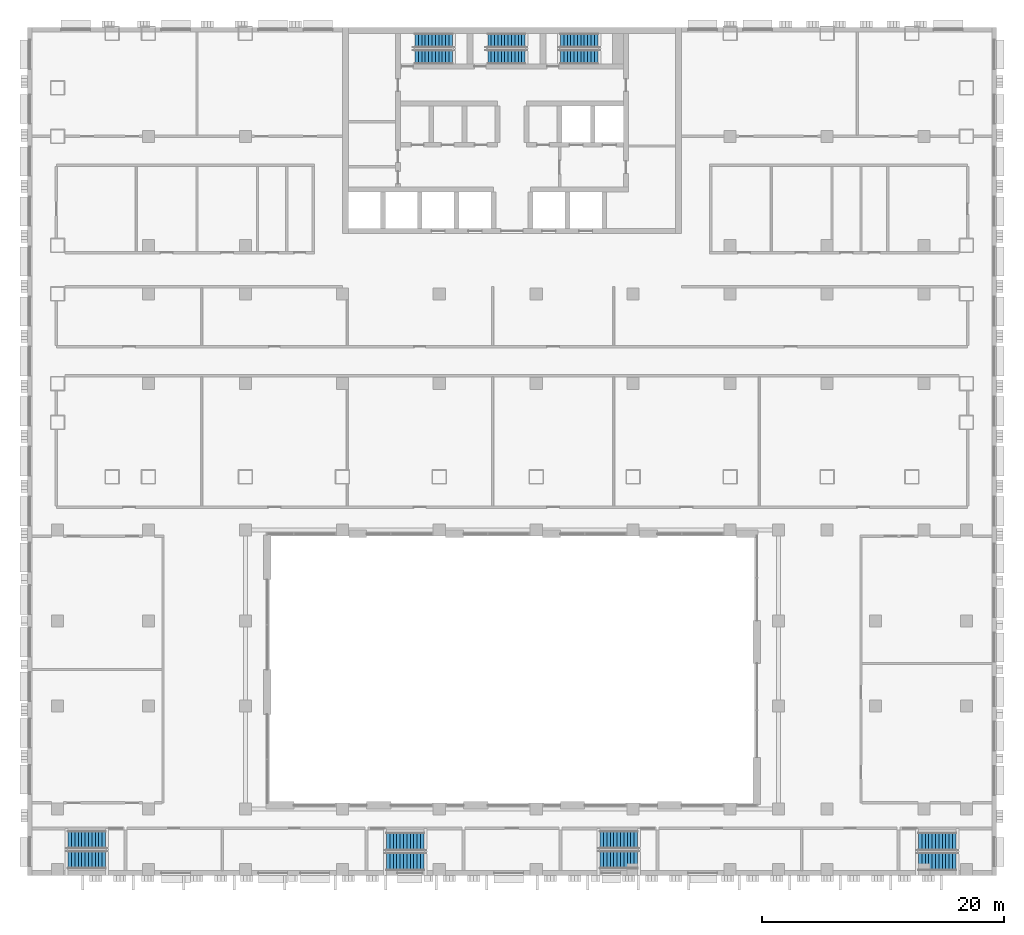
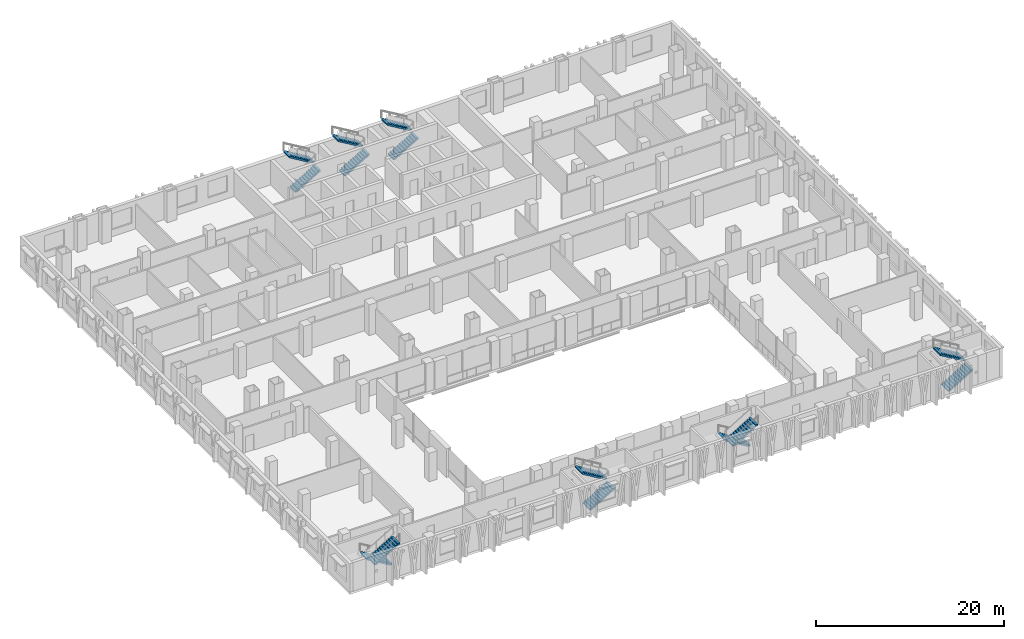
# One storey, part 16 of 24: 14 stair flights, 7 elements without a shape of their own.
"""IFC4 building model written with IfcOpenShell, lengths in metres."""

from ifc_helpers import new_model, si_unit, direction, frame, origin, place, context, subcontext, project, spatial, polyline, outline, extrude, material, type_object, element, aggregate, save


model = new_model("IFC4")

# Units and contexts
model_context = context("Model", 3, precision=1e-05, world=origin(), true_north=direction((0.0, 1.0)))
body_context = subcontext(model_context, "Body", "Model", "MODEL_VIEW")
ifc_project = project(units=[si_unit("LENGTHUNIT", "METRE"), si_unit("AREAUNIT", "SQUARE_METRE"), si_unit("VOLUMEUNIT", "CUBIC_METRE"), si_unit("PLANEANGLEUNIT", "RADIAN"), si_unit("MASSUNIT", "GRAM", prefix="KILO")], contexts=[model_context])

# Site, building, storey
site_placement = place(None, origin())
site = spatial("IfcSite", under=ifc_project, at=site_placement, CompositionType="ELEMENT")
building_placement = place(site_placement, origin())
building = spatial("IfcBuilding", under=site, at=building_placement, Name="Vidyagriha Tower", CompositionType="ELEMENT")
storey_placement = place(building_placement, frame((0.0, 0.0, 22.0)))
storey = spatial("IfcBuildingStorey", under=building, at=storey_placement, Name="L05", CompositionType="ELEMENT", Elevation=22.0)

# Stair, stair flights
ifc_material_1 = material(Name="Concrete C40/50", Category="concrete")
stair_type_1 = type_object("IfcStairType", Name="Exit stair, half-turn, precast flights", PredefinedType="HALF_TURN_STAIR", material=ifc_material_1)
stair_1_placement = place(storey_placement, origin())
stair_1 = element("IfcStair", 1, at=stair_1_placement, inside=storey, type_object=stair_type_1, Name="L05 Exit Stair ST1", PredefinedType="HALF_TURN_STAIR")
ifc_material_2 = material(Name="Precast concrete C40/50", Category="concrete")
stair_flight_type_1 = type_object("IfcStairFlightType", Name="Exit stair flight 1200 mm, precast", PredefinedType="STRAIGHT", material=ifc_material_2)
stair_flight_1_placement = place(storey_placement, frame((-8.0, 17.550048828125, 0.0)))
stair_flight_1 = element("IfcStairFlight", 2, at=stair_flight_1_placement, type_object=stair_flight_type_1, Name="ST1 flight 1", NumberOfRisers=12, NumberOfTreads=11, PredefinedType="STRAIGHT", RiserHeight=0.166666667, TreadLength=0.28, context=body_context, shape_type="SweptSolid", body=[
    extrude(outline(polyline([(0.0, 0.0), (0.0, 0.166748046875), (0.280029296875, 0.166748046875), (0.280029296875, 0.333251953125), (0.56005859375, 0.333251953125), (0.56005859375, 0.5), (0.840087890625, 0.5), (0.840087890625, 0.666748046875), (1.1201171875, 0.666748046875), (1.1201171875, 0.833251953125), (1.39990234375, 0.833251953125), (1.39990234375, 1.0), (1.679931640625, 1.0), (1.679931640625, 1.166748046875), (1.9599609375, 1.166748046875), (1.9599609375, 1.333251953125), (2.239990234375, 1.333251953125), (2.239990234375, 1.5), (2.52001953125, 1.5), (2.52001953125, 1.666748046875), (2.800048828125, 1.666748046875), (2.800048828125, 1.833251953125), (3.080078125, 1.833251953125), (3.080078125, 2.0), (3.080078125, 1.658935546875), (0.29296875, 0.0), (0.0, 0.0)])), frame((0.0, 0.60009765625, 0.0), z_axis=(0.0, -1.0, 0.0), x_axis=(1.0, 0.0, 0.0)), (0.0, 0.0, 1.0), 1.199951171875),
])
stair_flight_2_placement = place(storey_placement, frame((-4.919921875, 18.89990234375, 2.0), z_axis=(0.0, 0.0, 1.0), x_axis=(-1.0, 0.0, 0.0)))
stair_flight_2 = element("IfcStairFlight", 3, at=stair_flight_2_placement, type_object=stair_flight_type_1, Name="ST1 flight 2", NumberOfRisers=12, NumberOfTreads=11, PredefinedType="STRAIGHT", RiserHeight=0.166666667, TreadLength=0.28, context=body_context, shape_type="SweptSolid", body=[
    extrude(outline(polyline([(0.0, 0.0), (0.0, 0.166748046875), (0.280029296875, 0.166748046875), (0.280029296875, 0.333251953125), (0.56005859375, 0.333251953125), (0.56005859375, 0.5), (0.840087890625, 0.5), (0.840087890625, 0.666748046875), (1.1201171875, 0.666748046875), (1.1201171875, 0.833251953125), (1.39990234375, 0.833251953125), (1.39990234375, 1.0), (1.679931640625, 1.0), (1.679931640625, 1.166748046875), (1.9599609375, 1.166748046875), (1.9599609375, 1.333251953125), (2.239990234375, 1.333251953125), (2.239990234375, 1.5), (2.52001953125, 1.5), (2.52001953125, 1.666748046875), (2.800048828125, 1.666748046875), (2.800048828125, 1.833251953125), (3.080078125, 1.833251953125), (3.080078125, 2.0), (3.080078125, 1.658935546875), (0.29296875, 0.0), (0.0, 0.0)])), frame((0.0, 0.60009765625, 0.0), z_axis=(0.0, -1.0, 0.0), x_axis=(1.0, 0.0, 0.0)), (0.0, 0.0, 1.0), 1.199951171875),
])
aggregate(stair_1, [stair_flight_1, stair_flight_2])

stair_2_placement = place(storey_placement, origin())
stair_2 = element("IfcStair", 4, at=stair_2_placement, inside=storey, type_object=stair_type_1, Name="L05 Exit Stair ST2", PredefinedType="HALF_TURN_STAIR")
stair_flight_3_placement = place(storey_placement, frame((-2.0, 17.550048828125, 0.0)))
stair_flight_3 = element("IfcStairFlight", 5, at=stair_flight_3_placement, type_object=stair_flight_type_1, Name="ST2 flight 1", NumberOfRisers=12, NumberOfTreads=11, PredefinedType="STRAIGHT", RiserHeight=0.166666667, TreadLength=0.28, context=body_context, shape_type="SweptSolid", body=[
    extrude(outline(polyline([(0.0, 0.0), (0.0, 0.166748046875), (0.280029296875, 0.166748046875), (0.280029296875, 0.333251953125), (0.56005859375, 0.333251953125), (0.56005859375, 0.5), (0.840087890625, 0.5), (0.840087890625, 0.666748046875), (1.1201171875, 0.666748046875), (1.1201171875, 0.833251953125), (1.39990234375, 0.833251953125), (1.39990234375, 1.0), (1.679931640625, 1.0), (1.679931640625, 1.166748046875), (1.9599609375, 1.166748046875), (1.9599609375, 1.333251953125), (2.239990234375, 1.333251953125), (2.239990234375, 1.5), (2.52001953125, 1.5), (2.52001953125, 1.666748046875), (2.800048828125, 1.666748046875), (2.800048828125, 1.833251953125), (3.080078125, 1.833251953125), (3.080078125, 2.0), (3.080078125, 1.658935546875), (0.29296875, 0.0), (0.0, 0.0)])), frame((0.0, 0.60009765625, 0.0), z_axis=(0.0, -1.0, 0.0), x_axis=(1.0, 0.0, 0.0)), (0.0, 0.0, 1.0), 1.199951171875),
])
stair_flight_4_placement = place(storey_placement, frame((1.080078125, 18.89990234375, 2.0), z_axis=(0.0, 0.0, 1.0), x_axis=(-1.0, 0.0, 0.0)))
stair_flight_4 = element("IfcStairFlight", 6, at=stair_flight_4_placement, type_object=stair_flight_type_1, Name="ST2 flight 2", NumberOfRisers=12, NumberOfTreads=11, PredefinedType="STRAIGHT", RiserHeight=0.166666667, TreadLength=0.28, context=body_context, shape_type="SweptSolid", body=[
    extrude(outline(polyline([(0.0, 0.0), (0.0, 0.166748046875), (0.280029296875, 0.166748046875), (0.280029296875, 0.333251953125), (0.56005859375, 0.333251953125), (0.56005859375, 0.5), (0.840087890625, 0.5), (0.840087890625, 0.666748046875), (1.1201171875, 0.666748046875), (1.1201171875, 0.833251953125), (1.39990234375, 0.833251953125), (1.39990234375, 1.0), (1.679931640625, 1.0), (1.679931640625, 1.166748046875), (1.9599609375, 1.166748046875), (1.9599609375, 1.333251953125), (2.239990234375, 1.333251953125), (2.239990234375, 1.5), (2.52001953125, 1.5), (2.52001953125, 1.666748046875), (2.800048828125, 1.666748046875), (2.800048828125, 1.833251953125), (3.080078125, 1.833251953125), (3.080078125, 2.0), (3.080078125, 1.658935546875), (0.29296875, 0.0), (0.0, 0.0)])), frame((0.0, 0.60009765625, 0.0), z_axis=(0.0, -1.0, 0.0), x_axis=(1.0, 0.0, 0.0)), (0.0, 0.0, 1.0), 1.199951171875),
])
aggregate(stair_2, [stair_flight_3, stair_flight_4])

stair_3_placement = place(storey_placement, origin())
stair_3 = element("IfcStair", 7, at=stair_3_placement, inside=storey, type_object=stair_type_1, Name="L05 Exit Stair ST3", PredefinedType="HALF_TURN_STAIR")
stair_flight_5_placement = place(storey_placement, frame((4.0, 17.550048828125, 0.0)))
stair_flight_5 = element("IfcStairFlight", 8, at=stair_flight_5_placement, type_object=stair_flight_type_1, Name="ST3 flight 1", NumberOfRisers=12, NumberOfTreads=11, PredefinedType="STRAIGHT", RiserHeight=0.166666667, TreadLength=0.28, context=body_context, shape_type="SweptSolid", body=[
    extrude(outline(polyline([(0.0, 0.0), (0.0, 0.166748046875), (0.280029296875, 0.166748046875), (0.280029296875, 0.333251953125), (0.56005859375, 0.333251953125), (0.56005859375, 0.5), (0.840087890625, 0.5), (0.840087890625, 0.666748046875), (1.1201171875, 0.666748046875), (1.1201171875, 0.833251953125), (1.39990234375, 0.833251953125), (1.39990234375, 1.0), (1.679931640625, 1.0), (1.679931640625, 1.166748046875), (1.9599609375, 1.166748046875), (1.9599609375, 1.333251953125), (2.239990234375, 1.333251953125), (2.239990234375, 1.5), (2.52001953125, 1.5), (2.52001953125, 1.666748046875), (2.800048828125, 1.666748046875), (2.800048828125, 1.833251953125), (3.080078125, 1.833251953125), (3.080078125, 2.0), (3.080078125, 1.658935546875), (0.29296875, 0.0), (0.0, 0.0)])), frame((0.0, 0.60009765625, 0.0), z_axis=(0.0, -1.0, 0.0), x_axis=(1.0, 0.0, 0.0)), (0.0, 0.0, 1.0), 1.199951171875),
])
stair_flight_6_placement = place(storey_placement, frame((7.080078125, 18.89990234375, 2.0), z_axis=(0.0, 0.0, 1.0), x_axis=(-1.0, 0.0, 0.0)))
stair_flight_6 = element("IfcStairFlight", 9, at=stair_flight_6_placement, type_object=stair_flight_type_1, Name="ST3 flight 2", NumberOfRisers=12, NumberOfTreads=11, PredefinedType="STRAIGHT", RiserHeight=0.166666667, TreadLength=0.28, context=body_context, shape_type="SweptSolid", body=[
    extrude(outline(polyline([(0.0, 0.0), (0.0, 0.166748046875), (0.280029296875, 0.166748046875), (0.280029296875, 0.333251953125), (0.56005859375, 0.333251953125), (0.56005859375, 0.5), (0.840087890625, 0.5), (0.840087890625, 0.666748046875), (1.1201171875, 0.666748046875), (1.1201171875, 0.833251953125), (1.39990234375, 0.833251953125), (1.39990234375, 1.0), (1.679931640625, 1.0), (1.679931640625, 1.166748046875), (1.9599609375, 1.166748046875), (1.9599609375, 1.333251953125), (2.239990234375, 1.333251953125), (2.239990234375, 1.5), (2.52001953125, 1.5), (2.52001953125, 1.666748046875), (2.800048828125, 1.666748046875), (2.800048828125, 1.833251953125), (3.080078125, 1.833251953125), (3.080078125, 2.0), (3.080078125, 1.658935546875), (0.29296875, 0.0), (0.0, 0.0)])), frame((0.0, 0.60009765625, 0.0), z_axis=(0.0, -1.0, 0.0), x_axis=(1.0, 0.0, 0.0)), (0.0, 0.0, 1.0), 1.199951171875),
])
aggregate(stair_3, [stair_flight_5, stair_flight_6])

ifc_material_3 = material(Name="Concrete C32/40", Category="concrete")
stair_type_2 = type_object("IfcStairType", Name="Podium Exit Stair 1500", PredefinedType="HALF_TURN_STAIR", material=ifc_material_3)
stair_4_placement = place(storey_placement, origin())
stair_4 = element("IfcStair", 10, at=stair_4_placement, inside=storey, type_object=stair_type_2, Name="L05 Exit Stair PS1", PredefinedType="HALF_TURN_STAIR")
ifc_material_4 = material(Name="Concrete C32/40", Category="concrete")
stair_flight_type_2 = type_object("IfcStairFlightType", Name="Podium Stair Flight 1500", PredefinedType="STRAIGHT", material=ifc_material_4)
stair_flight_7_placement = place(storey_placement, frame((-33.544921875, -47.050048828125, 0.0), z_axis=(0.0, 0.0, 1.0), x_axis=(-1.0, 0.0, 0.0)))
stair_flight_7 = element("IfcStairFlight", 11, at=stair_flight_7_placement, type_object=stair_flight_type_2, Name="PS1 flight 1", NumberOfRisers=12, NumberOfTreads=11, PredefinedType="STRAIGHT", RiserHeight=0.166666667, TreadLength=0.28, context=body_context, shape_type="SweptSolid", body=[
    extrude(outline(polyline([(0.0, 0.0), (0.0, 0.166748046875), (0.280029296875, 0.166748046875), (0.280029296875, 0.333251953125), (0.56005859375, 0.333251953125), (0.56005859375, 0.5), (0.840087890625, 0.5), (0.840087890625, 0.666748046875), (1.1201171875, 0.666748046875), (1.1201171875, 0.833251953125), (1.39990234375, 0.833251953125), (1.39990234375, 1.0), (1.679931640625, 1.0), (1.679931640625, 1.166748046875), (1.9599609375, 1.166748046875), (1.9599609375, 1.333251953125), (2.239990234375, 1.333251953125), (2.239990234375, 1.5), (2.52001953125, 1.5), (2.52001953125, 1.666748046875), (2.800048828125, 1.666748046875), (2.800048828125, 1.833251953125), (3.080078125, 1.833251953125), (3.080078125, 2.0), (3.080078125, 1.658935546875), (0.29296875, 0.0), (0.0, 0.0)])), frame((0.0, 0.75, 0.0), z_axis=(0.0, -1.0, 0.0), x_axis=(1.0, 0.0, 0.0)), (0.0, 0.0, 1.0), 1.5),
])
stair_flight_8_placement = place(storey_placement, frame((-36.625, -48.699951171875, 2.0)))
stair_flight_8 = element("IfcStairFlight", 12, at=stair_flight_8_placement, type_object=stair_flight_type_2, Name="PS1 flight 2", NumberOfRisers=12, NumberOfTreads=11, PredefinedType="STRAIGHT", RiserHeight=0.166666667, TreadLength=0.28, context=body_context, shape_type="SweptSolid", body=[
    extrude(outline(polyline([(0.0, 0.0), (0.0, 0.166748046875), (0.280029296875, 0.166748046875), (0.280029296875, 0.333251953125), (0.56005859375, 0.333251953125), (0.56005859375, 0.5), (0.840087890625, 0.5), (0.840087890625, 0.666748046875), (1.1201171875, 0.666748046875), (1.1201171875, 0.833251953125), (1.39990234375, 0.833251953125), (1.39990234375, 1.0), (1.679931640625, 1.0), (1.679931640625, 1.166748046875), (1.9599609375, 1.166748046875), (1.9599609375, 1.333251953125), (2.239990234375, 1.333251953125), (2.239990234375, 1.5), (2.52001953125, 1.5), (2.52001953125, 1.666748046875), (2.800048828125, 1.666748046875), (2.800048828125, 1.833251953125), (3.080078125, 1.833251953125), (3.080078125, 2.0), (3.080078125, 1.658935546875), (0.29296875, 0.0), (0.0, 0.0)])), frame((0.0, 0.75, 0.0), z_axis=(0.0, -1.0, 0.0), x_axis=(1.0, 0.0, 0.0)), (0.0, 0.0, 1.0), 1.5),
])
aggregate(stair_4, [stair_flight_7, stair_flight_8])

stair_5_placement = place(storey_placement, origin())
stair_5 = element("IfcStair", 13, at=stair_5_placement, inside=storey, type_object=stair_type_2, Name="L05 Exit Stair PS2", PredefinedType="HALF_TURN_STAIR")
stair_flight_9_placement = place(storey_placement, frame((33.544921875, -48.85009765625, 0.0)))
stair_flight_9 = element("IfcStairFlight", 14, at=stair_flight_9_placement, type_object=stair_flight_type_2, Name="PS2 flight 1", NumberOfRisers=12, NumberOfTreads=11, PredefinedType="STRAIGHT", RiserHeight=0.166666667, TreadLength=0.28, context=body_context, shape_type="SweptSolid", body=[
    extrude(outline(polyline([(0.0, 0.0), (0.0, 0.166748046875), (0.280029296875, 0.166748046875), (0.280029296875, 0.333251953125), (0.56005859375, 0.333251953125), (0.56005859375, 0.5), (0.840087890625, 0.5), (0.840087890625, 0.666748046875), (1.1201171875, 0.666748046875), (1.1201171875, 0.833251953125), (1.39990234375, 0.833251953125), (1.39990234375, 1.0), (1.679931640625, 1.0), (1.679931640625, 1.166748046875), (1.9599609375, 1.166748046875), (1.9599609375, 1.333251953125), (2.239990234375, 1.333251953125), (2.239990234375, 1.5), (2.52001953125, 1.5), (2.52001953125, 1.666748046875), (2.800048828125, 1.666748046875), (2.800048828125, 1.833251953125), (3.080078125, 1.833251953125), (3.080078125, 2.0), (3.080078125, 1.658935546875), (0.29296875, 0.0), (0.0, 0.0)])), frame((0.0, 0.75, 0.0), z_axis=(0.0, -1.0, 0.0), x_axis=(1.0, 0.0, 0.0)), (0.0, 0.0, 1.0), 1.5),
])
stair_flight_10_placement = place(storey_placement, frame((36.625, -47.199951171875, 2.0), z_axis=(0.0, 0.0, 1.0), x_axis=(-1.0, 0.0, 0.0)))
stair_flight_10 = element("IfcStairFlight", 15, at=stair_flight_10_placement, type_object=stair_flight_type_2, Name="PS2 flight 2", NumberOfRisers=12, NumberOfTreads=11, PredefinedType="STRAIGHT", RiserHeight=0.166666667, TreadLength=0.28, context=body_context, shape_type="SweptSolid", body=[
    extrude(outline(polyline([(0.0, 0.0), (0.0, 0.166748046875), (0.280029296875, 0.166748046875), (0.280029296875, 0.333251953125), (0.56005859375, 0.333251953125), (0.56005859375, 0.5), (0.840087890625, 0.5), (0.840087890625, 0.666748046875), (1.1201171875, 0.666748046875), (1.1201171875, 0.833251953125), (1.39990234375, 0.833251953125), (1.39990234375, 1.0), (1.679931640625, 1.0), (1.679931640625, 1.166748046875), (1.9599609375, 1.166748046875), (1.9599609375, 1.333251953125), (2.239990234375, 1.333251953125), (2.239990234375, 1.5), (2.52001953125, 1.5), (2.52001953125, 1.666748046875), (2.800048828125, 1.666748046875), (2.800048828125, 1.833251953125), (3.080078125, 1.833251953125), (3.080078125, 2.0), (3.080078125, 1.658935546875), (0.29296875, 0.0), (0.0, 0.0)])), frame((0.0, 0.75, 0.0), z_axis=(0.0, -1.0, 0.0), x_axis=(1.0, 0.0, 0.0)), (0.0, 0.0, 1.0), 1.5),
])
aggregate(stair_5, [stair_flight_9, stair_flight_10])

stair_6_placement = place(storey_placement, origin())
stair_6 = element("IfcStair", 16, at=stair_6_placement, inside=storey, type_object=stair_type_2, Name="L05 Exit Stair PS3", PredefinedType="HALF_TURN_STAIR")
stair_flight_11_placement = place(storey_placement, frame((-10.35498046875, -48.85009765625, 0.0)))
stair_flight_11 = element("IfcStairFlight", 17, at=stair_flight_11_placement, type_object=stair_flight_type_2, Name="PS3 flight 1", NumberOfRisers=12, NumberOfTreads=11, PredefinedType="STRAIGHT", RiserHeight=0.166666667, TreadLength=0.28, context=body_context, shape_type="SweptSolid", body=[
    extrude(outline(polyline([(0.0, 0.0), (0.0, 0.166748046875), (0.280029296875, 0.166748046875), (0.280029296875, 0.333251953125), (0.56005859375, 0.333251953125), (0.56005859375, 0.5), (0.840087890625, 0.5), (0.840087890625, 0.666748046875), (1.1201171875, 0.666748046875), (1.1201171875, 0.833251953125), (1.39990234375, 0.833251953125), (1.39990234375, 1.0), (1.679931640625, 1.0), (1.679931640625, 1.166748046875), (1.9599609375, 1.166748046875), (1.9599609375, 1.333251953125), (2.239990234375, 1.333251953125), (2.239990234375, 1.5), (2.52001953125, 1.5), (2.52001953125, 1.666748046875), (2.800048828125, 1.666748046875), (2.800048828125, 1.833251953125), (3.080078125, 1.833251953125), (3.080078125, 2.0), (3.080078125, 1.658935546875), (0.29296875, 0.0), (0.0, 0.0)])), frame((0.0, 0.75, 0.0), z_axis=(0.0, -1.0, 0.0), x_axis=(1.0, 0.0, 0.0)), (0.0, 0.0, 1.0), 1.5),
])
stair_flight_12_placement = place(storey_placement, frame((-7.27490234375, -47.199951171875, 2.0), z_axis=(0.0, 0.0, 1.0), x_axis=(-1.0, 0.0, 0.0)))
stair_flight_12 = element("IfcStairFlight", 18, at=stair_flight_12_placement, type_object=stair_flight_type_2, Name="PS3 flight 2", NumberOfRisers=12, NumberOfTreads=11, PredefinedType="STRAIGHT", RiserHeight=0.166666667, TreadLength=0.28, context=body_context, shape_type="SweptSolid", body=[
    extrude(outline(polyline([(0.0, 0.0), (0.0, 0.166748046875), (0.280029296875, 0.166748046875), (0.280029296875, 0.333251953125), (0.56005859375, 0.333251953125), (0.56005859375, 0.5), (0.840087890625, 0.5), (0.840087890625, 0.666748046875), (1.1201171875, 0.666748046875), (1.1201171875, 0.833251953125), (1.39990234375, 0.833251953125), (1.39990234375, 1.0), (1.679931640625, 1.0), (1.679931640625, 1.166748046875), (1.9599609375, 1.166748046875), (1.9599609375, 1.333251953125), (2.239990234375, 1.333251953125), (2.239990234375, 1.5), (2.52001953125, 1.5), (2.52001953125, 1.666748046875), (2.800048828125, 1.666748046875), (2.800048828125, 1.833251953125), (3.080078125, 1.833251953125), (3.080078125, 2.0), (3.080078125, 1.658935546875), (0.29296875, 0.0), (0.0, 0.0)])), frame((0.0, 0.75, 0.0), z_axis=(0.0, -1.0, 0.0), x_axis=(1.0, 0.0, 0.0)), (0.0, 0.0, 1.0), 1.5),
])
aggregate(stair_6, [stair_flight_11, stair_flight_12])

stair_7_placement = place(storey_placement, origin())
stair_7 = element("IfcStair", 19, at=stair_7_placement, inside=storey, type_object=stair_type_2, Name="L05 Exit Stair PS4", PredefinedType="HALF_TURN_STAIR")
stair_flight_13_placement = place(storey_placement, frame((10.35498046875, -47.050048828125, 0.0), z_axis=(0.0, 0.0, 1.0), x_axis=(-1.0, 0.0, 0.0)))
stair_flight_13 = element("IfcStairFlight", 20, at=stair_flight_13_placement, type_object=stair_flight_type_2, Name="PS4 flight 1", NumberOfRisers=12, NumberOfTreads=11, PredefinedType="STRAIGHT", RiserHeight=0.166666667, TreadLength=0.28, context=body_context, shape_type="SweptSolid", body=[
    extrude(outline(polyline([(0.0, 0.0), (0.0, 0.166748046875), (0.280029296875, 0.166748046875), (0.280029296875, 0.333251953125), (0.56005859375, 0.333251953125), (0.56005859375, 0.5), (0.840087890625, 0.5), (0.840087890625, 0.666748046875), (1.1201171875, 0.666748046875), (1.1201171875, 0.833251953125), (1.39990234375, 0.833251953125), (1.39990234375, 1.0), (1.679931640625, 1.0), (1.679931640625, 1.166748046875), (1.9599609375, 1.166748046875), (1.9599609375, 1.333251953125), (2.239990234375, 1.333251953125), (2.239990234375, 1.5), (2.52001953125, 1.5), (2.52001953125, 1.666748046875), (2.800048828125, 1.666748046875), (2.800048828125, 1.833251953125), (3.080078125, 1.833251953125), (3.080078125, 2.0), (3.080078125, 1.658935546875), (0.29296875, 0.0), (0.0, 0.0)])), frame((0.0, 0.75, 0.0), z_axis=(0.0, -1.0, 0.0), x_axis=(1.0, 0.0, 0.0)), (0.0, 0.0, 1.0), 1.5),
])
stair_flight_14_placement = place(storey_placement, frame((7.27490234375, -48.699951171875, 2.0)))
stair_flight_14 = element("IfcStairFlight", 21, at=stair_flight_14_placement, type_object=stair_flight_type_2, Name="PS4 flight 2", NumberOfRisers=12, NumberOfTreads=11, PredefinedType="STRAIGHT", RiserHeight=0.166666667, TreadLength=0.28, context=body_context, shape_type="SweptSolid", body=[
    extrude(outline(polyline([(0.0, 0.0), (0.0, 0.166748046875), (0.280029296875, 0.166748046875), (0.280029296875, 0.333251953125), (0.56005859375, 0.333251953125), (0.56005859375, 0.5), (0.840087890625, 0.5), (0.840087890625, 0.666748046875), (1.1201171875, 0.666748046875), (1.1201171875, 0.833251953125), (1.39990234375, 0.833251953125), (1.39990234375, 1.0), (1.679931640625, 1.0), (1.679931640625, 1.166748046875), (1.9599609375, 1.166748046875), (1.9599609375, 1.333251953125), (2.239990234375, 1.333251953125), (2.239990234375, 1.5), (2.52001953125, 1.5), (2.52001953125, 1.666748046875), (2.800048828125, 1.666748046875), (2.800048828125, 1.833251953125), (3.080078125, 1.833251953125), (3.080078125, 2.0), (3.080078125, 1.658935546875), (0.29296875, 0.0), (0.0, 0.0)])), frame((0.0, 0.75, 0.0), z_axis=(0.0, -1.0, 0.0), x_axis=(1.0, 0.0, 0.0)), (0.0, 0.0, 1.0), 1.5),
])
aggregate(stair_7, [stair_flight_13, stair_flight_14])

save(model, "model.ifc")
